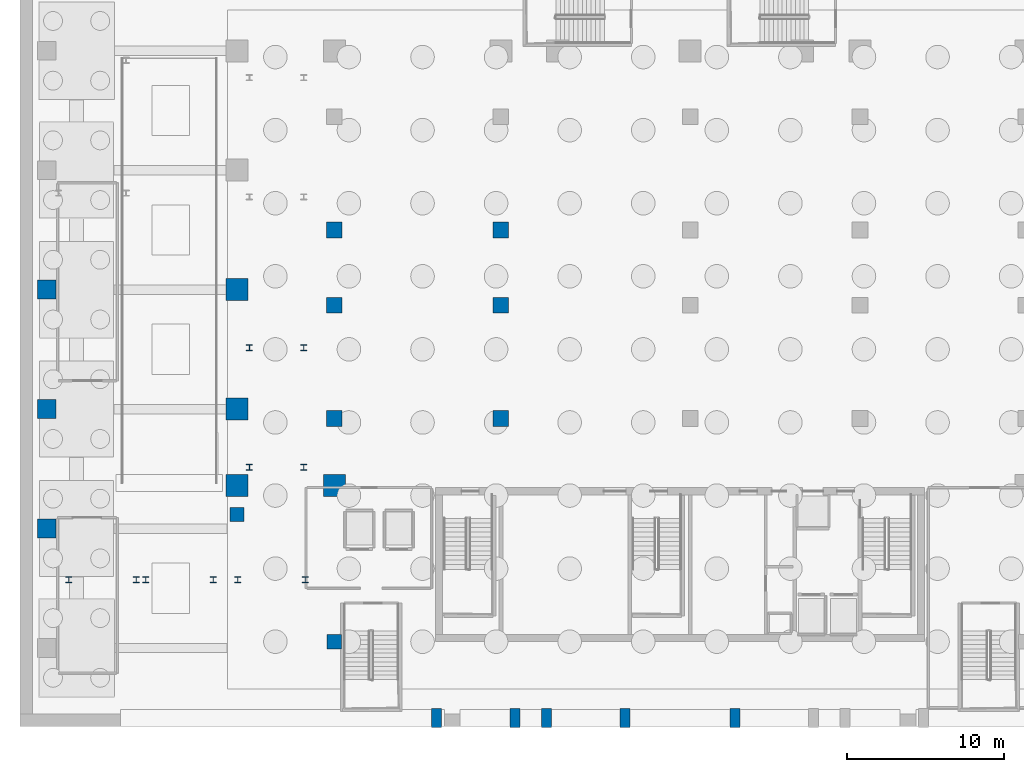
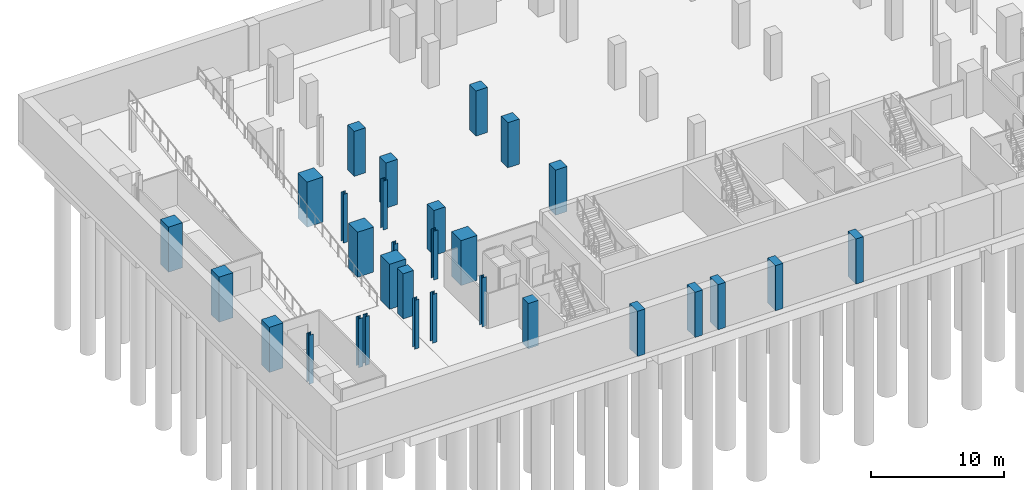
# One storey, part 3 of 18: 30 columns.
"""IFC4 building model written with IfcOpenShell, lengths in metres."""

from ifc_helpers import new_model, si_unit, direction, frame, origin, origin_2d, place, context, subcontext, project, spatial, rectangle, i_section, extrude, material, material_profile, profile_set, type_object, element, save


model = new_model("IFC4")

# Units and contexts
model_context = context("Model", 3, precision=1e-05, world=origin(), true_north=direction((0.0, 1.0)))
body_context = subcontext(model_context, "Body", "Model", "MODEL_VIEW")
ifc_project = project(units=[si_unit("LENGTHUNIT", "METRE"), si_unit("AREAUNIT", "SQUARE_METRE"), si_unit("VOLUMEUNIT", "CUBIC_METRE"), si_unit("PLANEANGLEUNIT", "RADIAN"), si_unit("MASSUNIT", "GRAM", prefix="KILO")], contexts=[model_context])

# Site, building, storey
site_placement = place(None, origin())
site = spatial("IfcSite", under=ifc_project, at=site_placement, CompositionType="ELEMENT")
building_placement = place(site_placement, origin())
building = spatial("IfcBuilding", under=site, at=building_placement, Name="Ndaravel Arena Tower", CompositionType="ELEMENT")
storey_placement = place(building_placement, frame((0.0, 0.0, -9.0)))
storey = spatial("IfcBuildingStorey", under=building, at=storey_placement, Name="B02", CompositionType="ELEMENT", Elevation=-9.0)

# Columns
ifc_material_1 = material(Name="Concrete C40/50", Category="concrete")
ifc_material_profile_1 = material_profile(ifc_material_1, rectangle(XDim=1.0, YDim=1.0, at=origin_2d()), Name="RC 1000x1000")
ifc_profile_set_1 = profile_set([ifc_material_profile_1], Name="Concrete C40/50")
column_type_1 = type_object("IfcColumnType", Name="COL-BSMT-RC1000", PredefinedType="COLUMN", material=ifc_profile_set_1)
for number, where, z_axis, x_axis, name in (
    (1, (20.0, 19.60009765625, 0.0), (0.0, 0.0, 1.0), (1.0, 0.0, 0.0), "B02 Sub-Court Column 01"),
    (2, (20.0, 26.800048828125, 0.0), (0.0, 0.0, 1.0), (1.0, 0.0, 0.0), "B02 Sub-Court Column 02"),
    (3, (20.0, 31.60009765625, 0.0), (0.0, 0.0, 1.0), (1.0, 0.0, 0.0), "B02 Sub-Court Column 03"),
    (4, (30.60009765625, 19.60009765625, 0.0), (0.0, 0.0, 1.0), (1.0, 0.0, 0.0), "B02 Sub-Court Column 05"),
    (5, (30.60009765625, 26.800048828125, 0.0), (0.0, 0.0, 1.0), (1.0, 0.0, 0.0), "B02 Sub-Court Column 06"),
    (6, (30.60009765625, 31.60009765625, 0.0), (0.0, 0.0, 1.0), (1.0, 0.0, 0.0), "B02 Sub-Court Column 07"),
):
    element("IfcColumn", number, at=place(storey_placement, frame(where, z_axis=z_axis, x_axis=x_axis)), inside=storey, type_object=column_type_1, Name=name, PredefinedType="COLUMN", context=body_context, shape_type="SweptSolid", body=[
        extrude(rectangle(XDim=1.0, YDim=1.0, at=origin_2d()), origin(), (0.0, 0.0, 1.0), 4.14990234375),
    ])
ifc_material_2 = material(Name="Concrete C40/50", Category="concrete")
ifc_material_profile_2 = material_profile(ifc_material_2, rectangle(XDim=0.89990234375, YDim=0.89990234375, at=origin_2d()), Name="RC 900x900")
ifc_profile_set_2 = profile_set([ifc_material_profile_2], Name="Concrete C40/50")
column_type_2 = type_object("IfcColumnType", Name="COL-BSMT-RC900", PredefinedType="COLUMN", material=ifc_profile_set_2)
for number, where, z_axis, x_axis, name in (
    (7, (13.800048828125, 13.5, 0.0), (0.0, 0.0, 1.0), (1.0, 0.0, 0.0), "B02 Ramp Portal Column 01"),
    (8, (20.0, 5.39990234375, 0.0), (0.0, 0.0, 1.0), (1.0, 0.0, 0.0), "B02 South Concourse Column 01"),
):
    element("IfcColumn", number, at=place(storey_placement, frame(where, z_axis=z_axis, x_axis=x_axis)), inside=storey, type_object=column_type_2, Name=name, PredefinedType="COLUMN", context=body_context, shape_type="SweptSolid", body=[
        extrude(rectangle(XDim=0.89990234375, YDim=0.89990234375, at=origin_2d()), origin(), (0.0, 0.0, 1.0), 4.14990234375),
    ])
ifc_material_3 = material(Name="Steel S355", Category="steel")
ifc_material_profile_3 = material_profile(ifc_material_3, i_section(OverallWidth=0.374755859375, OverallDepth=0.37451171875, WebThickness=0.0166015625, FlangeThickness=0.027099609375, FilletRadius=0.01513671875, at=origin_2d()), Name="UC 356x368x202")
ifc_profile_set_3 = profile_set([ifc_material_profile_3], Name="Steel S355")
column_type_3 = type_object("IfcColumnType", Name="COL-CRN-UC202", PredefinedType="COLUMN", material=ifc_profile_set_3)
for number, where, z_axis, x_axis, name in (
    (9, (3.10009765625, 9.35009765625, 0.0), (0.0, 0.0, 1.0), (1.0, 0.0, 0.0), "B02 Stair ST-A01 Support Pier 1"),
    (10, (7.39990234375, 9.35009765625, 0.0), (0.0, 0.0, 1.0), (1.0, 0.0, 0.0), "B02 Stair ST-A01 Support Pier 2"),
    (11, (8.0, 9.35009765625, 0.0), (0.0, 0.0, 1.0), (1.0, 0.0, 0.0), "B02 Stair ST-A02 Support Pier 1"),
    (12, (12.300048828125, 9.35009765625, 0.0), (0.0, 0.0, 1.0), (1.0, 0.0, 0.0), "B02 Stair ST-A02 Support Pier 2"),
    (13, (13.85009765625, 9.35009765625, 0.0), (0.0, 0.0, 1.0), (1.0, 0.0, 0.0), "B02 Stair ST-A03 Support Pier 1"),
    (14, (18.14990234375, 9.35009765625, 0.0), (0.0, 0.0, 1.0), (1.0, 0.0, 0.0), "B02 Stair ST-A03 Support Pier 2"),
    (15, (14.60009765625, 16.5, 0.0), (0.0, 0.0, 1.0), (1.0, 0.0, 0.0), "B02 Vomitory Stair ST-VOM-1 Pier 1.1"),
    (16, (14.60009765625, 24.10009765625, 0.0), (0.0, 0.0, 1.0), (1.0, 0.0, 0.0), "B02 Vomitory Stair ST-VOM-1 Pier 1.2"),
    (17, (18.06005859375, 16.5, 0.0), (0.0, 0.0, 1.0), (1.0, 0.0, 0.0), "B02 Vomitory Stair ST-VOM-1 Pier 2.1"),
    (18, (18.06005859375, 24.10009765625, 0.0), (0.0, 0.0, 1.0), (1.0, 0.0, 0.0), "B02 Vomitory Stair ST-VOM-1 Pier 2.2"),
):
    element("IfcColumn", number, at=place(storey_placement, frame(where, z_axis=z_axis, x_axis=x_axis)), inside=storey, type_object=column_type_3, Name=name, PredefinedType="COLUMN", context=body_context, shape_type="SweptSolid", body=[
        extrude(i_section(OverallWidth=0.374755859375, OverallDepth=0.37451171875, WebThickness=0.0166015625, FlangeThickness=0.027099609375, FilletRadius=0.01513671875, at=origin_2d()), origin(), (0.0, 0.0, 1.0), 4.5),
    ])
ifc_material_4 = material(Name="Concrete C60/75", Category="concrete")
ifc_material_profile_4 = material_profile(ifc_material_4, rectangle(XDim=1.199951171875, YDim=1.199951171875, at=origin_2d()), Name="RC 1200x1200")
ifc_profile_set_4 = profile_set([ifc_material_profile_4], Name="Concrete C60/75")
column_type_4 = type_object("IfcColumnType", Name="COL-MEGA-RC1200", PredefinedType="COLUMN", material=ifc_profile_set_4)
for number, where, z_axis, x_axis, name in (
    (19, (1.699951171875, 12.60009765625, 0.0), (0.0, 0.0, 1.0), (1.0, 0.0, 0.0), "B02 Perimeter Mega Column 02"),
    (20, (1.699951171875, 20.199951171875, 0.0), (0.0, 0.0, 1.0), (1.0, 0.0, 0.0), "B02 Perimeter Mega Column 03"),
    (21, (1.699951171875, 27.800048828125, 0.0), (0.0, 0.0, 1.0), (1.0, 0.0, 0.0), "B02 Perimeter Mega Column 04"),
):
    element("IfcColumn", number, at=place(storey_placement, frame(where, z_axis=z_axis, x_axis=x_axis)), inside=storey, type_object=column_type_4, Name=name, PredefinedType="COLUMN", context=body_context, shape_type="SweptSolid", body=[
        extrude(rectangle(XDim=1.199951171875, YDim=1.199951171875, at=origin_2d()), origin(), (0.0, 0.0, 1.0), 4.14990234375),
    ])
ifc_material_5 = material(Name="Concrete C60/75", Category="concrete")
ifc_material_profile_5 = material_profile(ifc_material_5, rectangle(XDim=1.39990234375, YDim=1.39990234375, at=origin_2d()), Name="RC 1400x1400")
ifc_profile_set_5 = profile_set([ifc_material_profile_5], Name="Concrete C60/75")
column_type_5 = type_object("IfcColumnType", Name="COL-MEGA-RC1400", PredefinedType="COLUMN", material=ifc_profile_set_5)
for number, where, z_axis, x_axis, name in (
    (22, (13.800048828125, 15.35009765625, 0.0), (0.0, 0.0, 1.0), (1.0, 0.0, 0.0), "B02 Arena Ring Mega Column 01"),
    (23, (13.800048828125, 20.199951171875, 0.0), (0.0, 0.0, 1.0), (1.0, 0.0, 0.0), "B02 Arena Ring Mega Column 02"),
    (24, (13.800048828125, 27.800048828125, 0.0), (0.0, 0.0, 1.0), (1.0, 0.0, 0.0), "B02 Arena Ring Mega Column 03"),
    (25, (20.0, 15.35009765625, 0.0), (0.0, 0.0, 1.0), (1.0, 0.0, 0.0), "B02 Arena Ring Mega Column 11"),
):
    element("IfcColumn", number, at=place(storey_placement, frame(where, z_axis=z_axis, x_axis=x_axis)), inside=storey, type_object=column_type_5, Name=name, PredefinedType="COLUMN", context=body_context, shape_type="SweptSolid", body=[
        extrude(rectangle(XDim=1.39990234375, YDim=1.39990234375, at=origin_2d()), origin(), (0.0, 0.0, 1.0), 4.14990234375),
    ])
ifc_material_6 = material(Name="Concrete C40/50", Category="concrete")
ifc_material_profile_6 = material_profile(ifc_material_6, rectangle(XDim=0.64990234375, YDim=1.199951171875, at=origin_2d()), Name="RC 650x1200")
ifc_profile_set_6 = profile_set([ifc_material_profile_6], Name="Concrete C40/50")
column_type_6 = type_object("IfcColumnType", Name="COL-PIL-RC650", PredefinedType="PILASTER", material=ifc_profile_set_6)
for number, where, z_axis, x_axis, name in (
    (26, (26.5, 0.550048828125, 0.0), (0.0, 0.0, 1.0), (1.0, 0.0, 0.0), "B02 South Foyer Pilaster 01"),
    (27, (31.5, 0.550048828125, 0.0), (0.0, 0.0, 1.0), (1.0, 0.0, 0.0), "B02 South Foyer Pilaster 02"),
    (28, (33.5, 0.550048828125, 0.0), (0.0, 0.0, 1.0), (1.0, 0.0, 0.0), "B02 South Foyer Pilaster 03"),
    (29, (38.5, 0.550048828125, 0.0), (0.0, 0.0, 1.0), (1.0, 0.0, 0.0), "B02 South Foyer Pilaster 04"),
    (30, (45.5, 0.550048828125, 0.0), (0.0, 0.0, 1.0), (1.0, 0.0, 0.0), "B02 South Foyer Pilaster 05"),
):
    element("IfcColumn", number, at=place(storey_placement, frame(where, z_axis=z_axis, x_axis=x_axis)), inside=storey, type_object=column_type_6, Name=name, PredefinedType="PILASTER", context=body_context, shape_type="SweptSolid", body=[
        extrude(rectangle(XDim=0.64990234375, YDim=1.199951171875, at=origin_2d()), origin(), (0.0, 0.0, 1.0), 4.14990234375),
    ])

save(model, "model.ifc")
